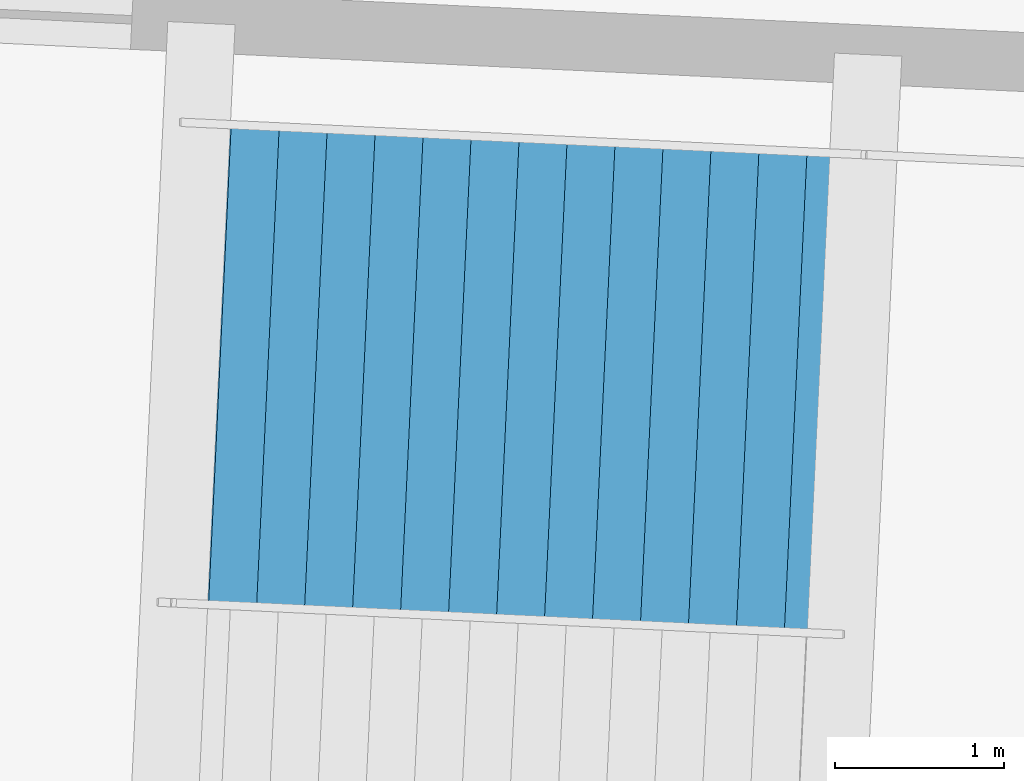
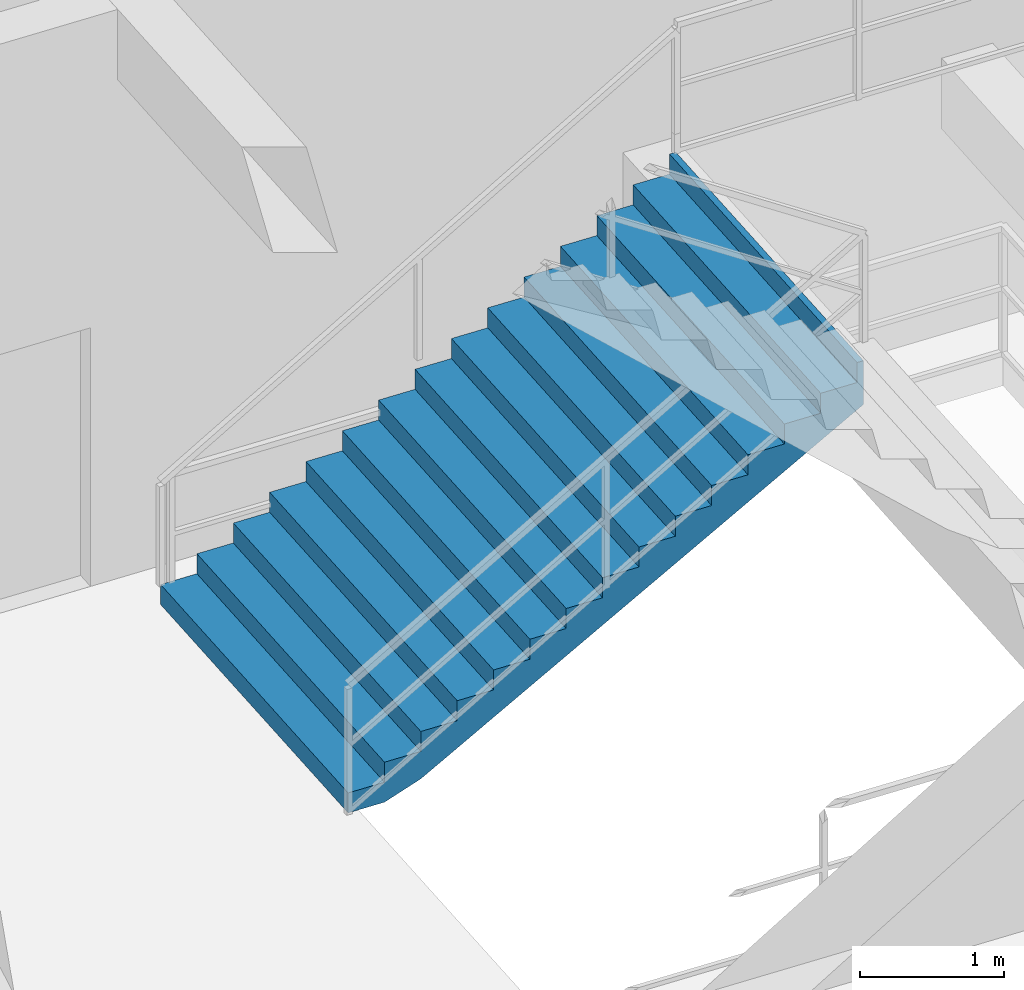
# One storey, part 158 of 184: 1 stair flight, 1 element without a shape of its own.
"""IFC4 building model written with IfcOpenShell, lengths in metres."""

import ifcopenshell
import ifcopenshell.guid

model = None  # the IFC model being written
_history = None  # IfcOwnerHistory: only IFC2X3 demands one
_inside = {}  # id of a spatial element -> (the spatial element, [elements in it])
_under = {}  # id of a project, library or spatial element -> (it, [spatial elements below it])
_declared = {}  # id of a project -> (the project, [libraries it declares])
_typed = {}  # id of a type object -> (the type object, [elements of that type])
_made_of = {}  # id of a material, layer set ... -> (it, [elements and type objects made of it])


def new_model(schema):
    """Start an empty IFC model of exactly this schema.

    Asked for "IFC4X3", IfcOpenShell would pick the latest addendum, in which some entities
    have other attributes; the version numbers below select the first issue.
    IFC2X3 requires an IfcOwnerHistory on every rooted entity: one is made here for all.
    """
    global model, _history
    if schema == "IFC4X3":
        model = ifcopenshell.file(schema_version=(4, 3, 0, 0))
    else:
        model = ifcopenshell.file(schema=schema)
    _inside.clear()
    _under.clear()
    _declared.clear()
    _typed.clear()
    _made_of.clear()
    _history = None
    if model.schema == "IFC2X3":
        org = make("IfcOrganization", Name="unknown")
        user = make(
            "IfcPersonAndOrganization",
            ThePerson=make("IfcPerson", FamilyName="unknown"),
            TheOrganization=org,
        )
        app = make(
            "IfcApplication",
            ApplicationDeveloper=org,
            Version="unknown",
            ApplicationFullName="unknown",
            ApplicationIdentifier="unknown",
        )
        _history = make(
            "IfcOwnerHistory",
            OwningUser=user,
            OwningApplication=app,
            ChangeAction="ADDED",
            CreationDate=0,
        )
    return model


def make(cls, **values):
    """One entity of the class cls with the attributes given. An attribute that is None is left unset."""
    return model.create_entity(
        cls, **{name: value for name, value in values.items() if value is not None}
    )


def rooted(cls, **values):
    """An entity with a GlobalId (a new one), such as an element, a storey or a relation."""
    return make(cls, GlobalId=ifcopenshell.guid.new(), OwnerHistory=_history, **values)


def si_unit(unit_type, name, prefix=None):
    """IfcSIUnit, for example si_unit("LENGTHUNIT", "METRE", prefix="MILLI")."""
    return make("IfcSIUnit", UnitType=unit_type, Prefix=prefix, Name=name)


def assignment(units):
    """IfcUnitAssignment: the units of a project."""
    return None if units is None else make("IfcUnitAssignment", Units=units)


def point(xyz):
    """IfcCartesianPoint."""
    return None if xyz is None else make("IfcCartesianPoint", Coordinates=xyz)


def direction(xyz):
    """IfcDirection."""
    return None if xyz is None else make("IfcDirection", DirectionRatios=xyz)


def frame(location, z_axis=None, x_axis=None):
    """IfcAxis2Placement3D, a coordinate frame: its origin and axes. An axis left out is left unset."""
    return make(
        "IfcAxis2Placement3D",
        Location=point(location),
        Axis=direction(z_axis),
        RefDirection=direction(x_axis),
    )


def origin():
    """The frame at (0, 0, 0) with its axes left unset."""
    return frame((0.0, 0.0, 0.0))


def place(relative_to, where):
    """IfcLocalPlacement: puts the frame where relative to a parent placement (None: the world)."""
    return make(
        "IfcLocalPlacement", PlacementRelTo=relative_to, RelativePlacement=where
    )


def context(
    kind, dimensions, precision=None, world=None, true_north=None, identifier=None
):
    """IfcGeometricRepresentationContext, for example the 3D "Model" context."""
    return make(
        "IfcGeometricRepresentationContext",
        ContextIdentifier=identifier,
        ContextType=kind,
        CoordinateSpaceDimension=dimensions,
        Precision=precision,
        WorldCoordinateSystem=world,
        TrueNorth=true_north,
    )


def subcontext(parent, identifier, kind, view, scale=None):
    """IfcGeometricRepresentationSubContext, for example "Body" below "Model"."""
    return make(
        "IfcGeometricRepresentationSubContext",
        ContextIdentifier=identifier,
        ContextType=kind,
        ParentContext=parent,
        TargetScale=scale,
        TargetView=view,
    )


def project(units=None, contexts=None):
    """IfcProject with its units and contexts."""
    return rooted(
        "IfcProject",
        Name="project",
        RepresentationContexts=contexts,
        UnitsInContext=assignment(units),
    )


def spatial(cls, under=None, at=None, **own):
    """A site, building, storey or space (cls), placed at a placement, below another one or the project."""
    s = rooted(cls, ObjectPlacement=at, **own)
    if under is not None:
        _under.setdefault(under.id(), (under, []))[1].append(s)
    return s


def point_list(points):
    """IfcCartesianPointList2D or 3D."""
    cls = (
        "IfcCartesianPointList2D" if len(points[0]) == 2 else "IfcCartesianPointList3D"
    )
    return make(cls, CoordList=points)


def polygons(points, faces, closed=None, point_numbers=None):
    """IfcPolygonalFaceSet: a face is its outer loop, then its inner loops; points numbered from 1."""
    made = []
    for loops in faces:
        if len(loops) == 1:
            made.append(make("IfcIndexedPolygonalFace", CoordIndex=loops[0]))
        else:
            made.append(
                make(
                    "IfcIndexedPolygonalFaceWithVoids",
                    CoordIndex=loops[0],
                    InnerCoordIndices=loops[1:],
                )
            )
    return make(
        "IfcPolygonalFaceSet",
        Coordinates=point_list(points),
        Closed=closed,
        Faces=made,
        PnIndex=point_numbers,
    )


def shape(context_of_items, identifier, shape_type, items):
    """IfcShapeRepresentation: the items that make up one representation, for example the "Body"."""
    return make(
        "IfcShapeRepresentation",
        ContextOfItems=context_of_items,
        RepresentationIdentifier=identifier,
        RepresentationType=shape_type,
        Items=items,
    )


def material(Name=None, Category=None):
    """IfcMaterial."""
    return make("IfcMaterial", Name=Name, Category=Category)


def made_of(thing, what):
    """Note that an element or type object is made of a material, layer set ...; save() writes the relation."""
    if what is not None:
        _made_of.setdefault(what.id(), (what, []))[1].append(thing)
    return thing


def type_object(cls, material=None, **own):
    """A type object (cls), such as IfcWallType, which elements share."""
    return made_of(rooted(cls, **own), material)


def element(
    cls,
    number,
    at=None,
    inside=None,
    cuts=None,
    type_object=None,
    material=None,
    context=None,
    identifier="Body",
    shape_type=None,
    held_by="IfcProductDefinitionShape",
    body=None,
    shapes=None,
    **own,
):
    """One element of the class cls, such as IfcWall. Its Tag is "e" and its number.

    at: its placement. inside: the storey or other place that contains it. cuts: it is an
    opening in that element (IfcRelVoidsElement). A single representation is given by context,
    identifier, shape_type and body (its items); several are given by shapes. held_by: the class
    of the entity that holds the representations. save() writes the other relations.
    """
    e = rooted(cls, Tag="e%d" % number, ObjectPlacement=at, **own)
    if body is not None:
        shapes = [shape(context, identifier, shape_type, body)]
    if shapes is not None:
        e.Representation = make(held_by, Representations=shapes)
    if inside is not None:
        _inside.setdefault(inside.id(), (inside, []))[1].append(e)
    if cuts is not None:
        rooted(
            "IfcRelVoidsElement", RelatingBuildingElement=cuts, RelatedOpeningElement=e
        )
    if type_object is not None:
        _typed.setdefault(type_object.id(), (type_object, []))[1].append(e)
    return made_of(e, material)


def aggregate(whole, parts):
    """IfcRelAggregates: a whole, such as a stair, and the parts it consists of."""
    return rooted("IfcRelAggregates", RelatingObject=whole, RelatedObjects=parts)


def save(model, path):
    """Write the relations noted so far, then the file.

    IfcRelAggregates (storeys below a building ...), IfcRelContainedInSpatialStructure (elements
    in a storey), IfcRelDefinesByType, IfcRelAssociatesMaterial and IfcRelDeclares: one each for
    every whole, place, type object, material and project.
    """
    for whole, parts in _under.values():
        aggregate(whole, parts)
    for where, things in _inside.values():
        rooted(
            "IfcRelContainedInSpatialStructure",
            RelatedElements=things,
            RelatingStructure=where,
        )
    for kind, things in _typed.values():
        rooted("IfcRelDefinesByType", RelatedObjects=things, RelatingType=kind)
    for what, things in _made_of.values():
        rooted("IfcRelAssociatesMaterial", RelatedObjects=things, RelatingMaterial=what)
    for by, libraries in _declared.values():
        rooted("IfcRelDeclares", RelatingContext=by, RelatedDefinitions=libraries)
    model.write(path)


model = new_model("IFC4")

# Units and contexts
model_context = context("Model", 3, precision=1e-05, world=origin(), true_north=direction((0.0, 1.0)))
body_context = subcontext(model_context, "Body", "Model", "MODEL_VIEW")
ifc_project = project(units=[si_unit("LENGTHUNIT", "METRE"), si_unit("AREAUNIT", "SQUARE_METRE"), si_unit("VOLUMEUNIT", "CUBIC_METRE"), si_unit("PLANEANGLEUNIT", "RADIAN"), si_unit("MASSUNIT", "GRAM", prefix="KILO")], contexts=[model_context])

# Site, building, storey
site_placement = place(None, origin())
site = spatial("IfcSite", under=ifc_project, at=site_placement, CompositionType="ELEMENT")
building_placement = place(site_placement, origin())
building = spatial("IfcBuilding", under=site, at=building_placement, Name="Kazemori Nagisa Stadium", CompositionType="ELEMENT")
storey_placement = place(building_placement, frame((0.0, 0.0, 10.5400390625)))
storey = spatial("IfcBuildingStorey", under=building, at=storey_placement, Name="L02", CompositionType="ELEMENT", Elevation=10.5400390625)

# Stair, stair flight
ifc_material = material(Name="Concrete C36/45 (Fc36)", Category="concrete")
stair_type = type_object("IfcStairType", Name="Stair_CORE_30", PredefinedType="TWO_STRAIGHT_RUN_STAIR", material=ifc_material)
stair_placement = place(storey_placement, origin())
stair = element("IfcStair", 1, at=stair_placement, inside=storey, type_object=stair_type, Name="Exit stair ST12 L02", PredefinedType="TWO_STRAIGHT_RUN_STAIR")
stair_flight_type = type_object("IfcStairFlightType", Name="Flight_CORE_15", PredefinedType="STRAIGHT", material=ifc_material)
stair_flight_placement = place(storey_placement, frame((107.177490234375, 24.015380859375, 0.0), z_axis=(0.0, 0.0, 1.0), x_axis=(0.99888372663, -0.047236645449, 0.0)))
stair_flight = element("IfcStairFlight", 2, at=stair_flight_placement, type_object=stair_flight_type, Name="Exit stair ST12 L02 flight 1", NumberOfRisers=15, NumberOfTreads=14, PredefinedType="STRAIGHT", RiserHeight=0.17, TreadLength=0.285, context=body_context, shape_type="Tessellation", body=[
    polygons([(0.0, -1.425048828125, 0.0), (0.0, -1.425048828125, 0.169921875), (0.284912109375, -1.425048828125, 0.169921875), (0.284912109375, -1.425048828125, 0.340087890625), (0.570068359375, -1.425048828125, 0.340087890625), (0.570068359375, -1.425048828125, 0.510009765625), (0.85498046875, -1.425048828125, 0.510009765625), (0.85498046875, -1.425048828125, 0.679931640625), (1.139892578125, -1.425048828125, 0.679931640625), (1.139892578125, -1.425048828125, 0.85009765625), (1.425048828125, -1.425048828125, 0.85009765625), (1.425048828125, -1.425048828125, 1.02001953125), (1.7099609375, -1.425048828125, 1.02001953125), (1.7099609375, -1.425048828125, 1.18994140625), (1.9951171875, -1.425048828125, 1.18994140625), (1.9951171875, -1.425048828125, 1.360107421875), (2.280029296875, -1.425048828125, 1.360107421875), (2.280029296875, -1.425048828125, 1.530029296875), (2.56494140625, -1.425048828125, 1.530029296875), (2.56494140625, -1.425048828125, 1.699951171875), (2.85009765625, -1.425048828125, 1.699951171875), (2.85009765625, -1.425048828125, 1.8701171875), (3.135009765625, -1.425048828125, 1.8701171875), (3.135009765625, -1.425048828125, 2.0400390625), (3.419921875, -1.425048828125, 2.0400390625), (3.419921875, -1.425048828125, 2.2099609375), (3.705078125, -1.425048828125, 2.2099609375), (3.705078125, -1.425048828125, 2.3798828125), (3.989990234375, -1.425048828125, 2.3798828125), (3.989990234375, -1.425048828125, 2.550048828125), (4.0400390625, -1.425048828125, 2.550048828125), (4.0400390625, -1.425048828125, 2.177001953125), (3.989990234375, -1.425048828125, 2.147216796875), (3.705078125, -1.425048828125, 1.977294921875), (3.419921875, -1.425048828125, 1.80712890625), (3.135009765625, -1.425048828125, 1.63720703125), (2.85009765625, -1.425048828125, 1.46728515625), (2.56494140625, -1.425048828125, 1.297119140625), (2.280029296875, -1.425048828125, 1.127197265625), (1.9951171875, -1.425048828125, 0.957275390625), (1.7099609375, -1.425048828125, 0.787109375), (1.425048828125, -1.425048828125, 0.6171875), (1.139892578125, -1.425048828125, 0.447265625), (0.85498046875, -1.425048828125, 0.277099609375), (0.570068359375, -1.425048828125, 0.107177734375), (0.284912109375, -1.425048828125, 0.0), (0.0, -0.08544921875, 0.0), (0.0, -0.08544921875, 0.169921875), (0.284912109375, -0.08544921875, 0.169921875), (0.284912109375, -0.08544921875, 0.340087890625), (0.570068359375, -0.08544921875, 0.340087890625), (0.570068359375, -0.08544921875, 0.510009765625), (0.85498046875, -0.08544921875, 0.510009765625), (0.85498046875, -0.08544921875, 0.679931640625), (1.139892578125, -0.08544921875, 0.679931640625), (1.139892578125, -0.08544921875, 0.85009765625), (1.425048828125, -0.08544921875, 0.85009765625), (1.425048828125, -0.08544921875, 1.02001953125), (1.7099609375, -0.08544921875, 1.02001953125), (1.7099609375, -0.08544921875, 1.18994140625), (1.9951171875, -0.08544921875, 1.18994140625), (1.9951171875, -0.08544921875, 1.360107421875), (2.280029296875, -0.08544921875, 1.360107421875), (2.280029296875, -0.08544921875, 1.530029296875), (2.56494140625, -0.08544921875, 1.530029296875), (2.56494140625, -0.08544921875, 1.699951171875), (2.85009765625, -0.08544921875, 1.699951171875), (2.85009765625, -0.08544921875, 1.8701171875), (3.135009765625, -0.08544921875, 1.8701171875), (3.135009765625, -0.08544921875, 2.0400390625), (3.419921875, -0.08544921875, 2.0400390625), (3.419921875, -0.08544921875, 2.2099609375), (3.705078125, -0.08544921875, 2.2099609375), (3.705078125, -0.08544921875, 2.3798828125), (3.989990234375, -0.08544921875, 2.3798828125), (3.989990234375, -0.08544921875, 2.550048828125), (4.0400390625, -0.08544921875, 2.550048828125), (4.0400390625, -0.08544921875, 2.177001953125), (3.989990234375, -0.08544921875, 2.147216796875), (3.705078125, -0.08544921875, 1.977294921875), (3.419921875, -0.08544921875, 1.80712890625), (3.135009765625, -0.08544921875, 1.63720703125), (2.85009765625, -0.08544921875, 1.46728515625), (2.56494140625, -0.08544921875, 1.297119140625), (2.280029296875, -0.08544921875, 1.127197265625), (1.9951171875, -0.08544921875, 0.957275390625), (1.7099609375, -0.08544921875, 0.787109375), (1.425048828125, -0.08544921875, 0.6171875), (1.139892578125, -0.08544921875, 0.447265625), (0.85498046875, -0.08544921875, 0.277099609375), (0.570068359375, -0.08544921875, 0.107177734375), (0.284912109375, -0.08544921875, 0.0), (0.0, 0.0, 0.0), (0.0, 0.0, 0.169921875), (0.284912109375, 0.0, 0.169921875), (0.284912109375, 0.0, 0.340087890625), (0.570068359375, 0.0, 0.340087890625), (0.570068359375, 0.0, 0.510009765625), (0.85498046875, 0.0, 0.510009765625), (0.85498046875, 0.0, 0.679931640625), (1.139892578125, 0.0, 0.679931640625), (1.139892578125, 0.0, 0.85009765625), (1.425048828125, 0.0, 0.85009765625), (1.425048828125, 0.0, 1.02001953125), (1.7099609375, 0.0, 1.02001953125), (1.7099609375, 0.0, 1.18994140625), (1.9951171875, 0.0, 1.18994140625), (1.9951171875, 0.0, 1.360107421875), (2.280029296875, 0.0, 1.360107421875), (2.280029296875, 0.0, 1.530029296875), (2.56494140625, 0.0, 1.530029296875), (2.56494140625, 0.0, 1.699951171875), (2.85009765625, 0.0, 1.699951171875), (2.85009765625, 0.0, 1.8701171875), (3.135009765625, 0.0, 1.8701171875), (3.135009765625, 0.0, 2.0400390625), (3.419921875, 0.0, 2.0400390625), (3.419921875, 0.0, 2.2099609375), (3.705078125, 0.0, 2.2099609375), (3.705078125, 0.0, 2.3798828125), (3.989990234375, 0.0, 2.3798828125), (3.989990234375, 0.0, 2.550048828125), (4.0400390625, 0.0, 2.550048828125), (4.0400390625, 0.0, 2.177001953125), (3.989990234375, 0.0, 2.147216796875), (3.705078125, 0.0, 1.977294921875), (3.419921875, 0.0, 1.80712890625), (3.135009765625, 0.0, 1.63720703125), (2.85009765625, 0.0, 1.46728515625), (2.56494140625, 0.0, 1.297119140625), (2.280029296875, 0.0, 1.127197265625), (1.9951171875, 0.0, 0.957275390625), (1.7099609375, 0.0, 0.787109375), (1.425048828125, 0.0, 0.6171875), (1.139892578125, 0.0, 0.447265625), (0.85498046875, 0.0, 0.277099609375), (0.570068359375, 0.0, 0.107177734375), (0.284912109375, 0.0, 0.0), (0.0, 0.08544921875, 0.0), (0.0, 0.08544921875, 0.169921875), (0.284912109375, 0.08544921875, 0.169921875), (0.284912109375, 0.08544921875, 0.340087890625), (0.570068359375, 0.08544921875, 0.340087890625), (0.570068359375, 0.08544921875, 0.510009765625), (0.85498046875, 0.08544921875, 0.510009765625), (0.85498046875, 0.08544921875, 0.679931640625), (1.139892578125, 0.08544921875, 0.679931640625), (1.139892578125, 0.08544921875, 0.85009765625), (1.425048828125, 0.08544921875, 0.85009765625), (1.425048828125, 0.08544921875, 1.02001953125), (1.7099609375, 0.08544921875, 1.02001953125), (1.7099609375, 0.08544921875, 1.18994140625), (1.9951171875, 0.08544921875, 1.18994140625), (1.9951171875, 0.08544921875, 1.360107421875), (2.280029296875, 0.08544921875, 1.360107421875), (2.280029296875, 0.08544921875, 1.530029296875), (2.56494140625, 0.08544921875, 1.530029296875), (2.56494140625, 0.08544921875, 1.699951171875), (2.85009765625, 0.08544921875, 1.699951171875), (2.85009765625, 0.08544921875, 1.8701171875), (3.135009765625, 0.08544921875, 1.8701171875), (3.135009765625, 0.08544921875, 2.0400390625), (3.419921875, 0.08544921875, 2.0400390625), (3.419921875, 0.08544921875, 2.2099609375), (3.705078125, 0.08544921875, 2.2099609375), (3.705078125, 0.08544921875, 2.3798828125), (3.989990234375, 0.08544921875, 2.3798828125), (3.989990234375, 0.08544921875, 2.550048828125), (4.0400390625, 0.08544921875, 2.550048828125), (4.0400390625, 0.08544921875, 2.177001953125), (3.989990234375, 0.08544921875, 2.147216796875), (3.705078125, 0.08544921875, 1.977294921875), (3.419921875, 0.08544921875, 1.80712890625), (3.135009765625, 0.08544921875, 1.63720703125), (2.85009765625, 0.08544921875, 1.46728515625), (2.56494140625, 0.08544921875, 1.297119140625), (2.280029296875, 0.08544921875, 1.127197265625), (1.9951171875, 0.08544921875, 0.957275390625), (1.7099609375, 0.08544921875, 0.787109375), (1.425048828125, 0.08544921875, 0.6171875), (1.139892578125, 0.08544921875, 0.447265625), (0.85498046875, 0.08544921875, 0.277099609375), (0.570068359375, 0.08544921875, 0.107177734375), (0.284912109375, 0.08544921875, 0.0), (0.0, 1.425048828125, 0.0), (0.0, 1.425048828125, 0.169921875), (0.284912109375, 1.425048828125, 0.169921875), (0.284912109375, 1.425048828125, 0.340087890625), (0.570068359375, 1.425048828125, 0.340087890625), (0.570068359375, 1.425048828125, 0.510009765625), (0.85498046875, 1.425048828125, 0.510009765625), (0.85498046875, 1.425048828125, 0.679931640625), (1.139892578125, 1.425048828125, 0.679931640625), (1.139892578125, 1.425048828125, 0.85009765625), (1.425048828125, 1.425048828125, 0.85009765625), (1.425048828125, 1.425048828125, 1.02001953125), (1.7099609375, 1.425048828125, 1.02001953125), (1.7099609375, 1.425048828125, 1.18994140625), (1.9951171875, 1.425048828125, 1.18994140625), (1.9951171875, 1.425048828125, 1.360107421875), (2.280029296875, 1.425048828125, 1.360107421875), (2.280029296875, 1.425048828125, 1.530029296875), (2.56494140625, 1.425048828125, 1.530029296875), (2.56494140625, 1.425048828125, 1.699951171875), (2.85009765625, 1.425048828125, 1.699951171875), (2.85009765625, 1.425048828125, 1.8701171875), (3.135009765625, 1.425048828125, 1.8701171875), (3.135009765625, 1.425048828125, 2.0400390625), (3.419921875, 1.425048828125, 2.0400390625), (3.419921875, 1.425048828125, 2.2099609375), (3.705078125, 1.425048828125, 2.2099609375), (3.705078125, 1.425048828125, 2.3798828125), (3.989990234375, 1.425048828125, 2.3798828125), (3.989990234375, 1.425048828125, 2.550048828125), (4.0400390625, 1.425048828125, 2.550048828125), (4.0400390625, 1.425048828125, 2.177001953125), (3.989990234375, 1.425048828125, 2.147216796875), (3.705078125, 1.425048828125, 1.977294921875), (3.419921875, 1.425048828125, 1.80712890625), (3.135009765625, 1.425048828125, 1.63720703125), (2.85009765625, 1.425048828125, 1.46728515625), (2.56494140625, 1.425048828125, 1.297119140625), (2.280029296875, 1.425048828125, 1.127197265625), (1.9951171875, 1.425048828125, 0.957275390625), (1.7099609375, 1.425048828125, 0.787109375), (1.425048828125, 1.425048828125, 0.6171875), (1.139892578125, 1.425048828125, 0.447265625), (0.85498046875, 1.425048828125, 0.277099609375), (0.570068359375, 1.425048828125, 0.107177734375), (0.284912109375, 1.425048828125, 0.0)], [[[1, 2, 48]], [[1, 48, 47]], [[2, 3, 49]], [[2, 49, 48]], [[3, 4, 50]], [[3, 50, 49]], [[4, 5, 51]], [[4, 51, 50]], [[5, 6, 52]], [[5, 52, 51]], [[6, 7, 53]], [[6, 53, 52]], [[7, 8, 54]], [[7, 54, 53]], [[8, 9, 55]], [[8, 55, 54]], [[9, 10, 56]], [[9, 56, 55]], [[10, 11, 57]], [[10, 57, 56]], [[11, 12, 58]], [[11, 58, 57]], [[12, 13, 59]], [[12, 59, 58]], [[13, 14, 60]], [[13, 60, 59]], [[14, 15, 61]], [[14, 61, 60]], [[15, 16, 62]], [[15, 62, 61]], [[16, 17, 63]], [[16, 63, 62]], [[17, 18, 64]], [[17, 64, 63]], [[18, 19, 65]], [[18, 65, 64]], [[19, 20, 66]], [[19, 66, 65]], [[20, 21, 67]], [[20, 67, 66]], [[21, 22, 68]], [[21, 68, 67]], [[22, 23, 69]], [[22, 69, 68]], [[23, 24, 70]], [[23, 70, 69]], [[24, 25, 71]], [[24, 71, 70]], [[25, 26, 72]], [[25, 72, 71]], [[26, 27, 73]], [[26, 73, 72]], [[27, 28, 74]], [[27, 74, 73]], [[28, 29, 75]], [[28, 75, 74]], [[29, 30, 76]], [[29, 76, 75]], [[30, 31, 77]], [[30, 77, 76]], [[31, 32, 78]], [[31, 78, 77]], [[32, 33, 79]], [[32, 79, 78]], [[33, 34, 80]], [[33, 80, 79]], [[34, 35, 81]], [[34, 81, 80]], [[35, 36, 82]], [[35, 82, 81]], [[36, 37, 83]], [[36, 83, 82]], [[37, 38, 84]], [[37, 84, 83]], [[38, 39, 85]], [[38, 85, 84]], [[39, 40, 86]], [[39, 86, 85]], [[40, 41, 87]], [[40, 87, 86]], [[41, 42, 88]], [[41, 88, 87]], [[42, 43, 89]], [[42, 89, 88]], [[43, 44, 90]], [[43, 90, 89]], [[44, 45, 91]], [[44, 91, 90]], [[45, 46, 92]], [[45, 92, 91]], [[46, 1, 47]], [[46, 47, 92]], [[47, 48, 94]], [[47, 94, 93]], [[48, 49, 95]], [[48, 95, 94]], [[49, 50, 96]], [[49, 96, 95]], [[50, 51, 97]], [[50, 97, 96]], [[51, 52, 98]], [[51, 98, 97]], [[52, 53, 99]], [[52, 99, 98]], [[53, 54, 100]], [[53, 100, 99]], [[54, 55, 101]], [[54, 101, 100]], [[55, 56, 102]], [[55, 102, 101]], [[56, 57, 103]], [[56, 103, 102]], [[57, 58, 104]], [[57, 104, 103]], [[58, 59, 105]], [[58, 105, 104]], [[59, 60, 106]], [[59, 106, 105]], [[60, 61, 107]], [[60, 107, 106]], [[61, 62, 108]], [[61, 108, 107]], [[62, 63, 109]], [[62, 109, 108]], [[63, 64, 110]], [[63, 110, 109]], [[64, 65, 111]], [[64, 111, 110]], [[65, 66, 112]], [[65, 112, 111]], [[66, 67, 113]], [[66, 113, 112]], [[67, 68, 114]], [[67, 114, 113]], [[68, 69, 115]], [[68, 115, 114]], [[69, 70, 116]], [[69, 116, 115]], [[70, 71, 117]], [[70, 117, 116]], [[71, 72, 118]], [[71, 118, 117]], [[72, 73, 119]], [[72, 119, 118]], [[73, 74, 120]], [[73, 120, 119]], [[74, 75, 121]], [[74, 121, 120]], [[75, 76, 122]], [[75, 122, 121]], [[76, 77, 123]], [[76, 123, 122]], [[77, 78, 124]], [[77, 124, 123]], [[78, 79, 125]], [[78, 125, 124]], [[79, 80, 126]], [[79, 126, 125]], [[80, 81, 127]], [[80, 127, 126]], [[81, 82, 128]], [[81, 128, 127]], [[82, 83, 129]], [[82, 129, 128]], [[83, 84, 130]], [[83, 130, 129]], [[84, 85, 131]], [[84, 131, 130]], [[85, 86, 132]], [[85, 132, 131]], [[86, 87, 133]], [[86, 133, 132]], [[87, 88, 134]], [[87, 134, 133]], [[88, 89, 135]], [[88, 135, 134]], [[89, 90, 136]], [[89, 136, 135]], [[90, 91, 137]], [[90, 137, 136]], [[91, 92, 138]], [[91, 138, 137]], [[92, 47, 93]], [[92, 93, 138]], [[93, 94, 140]], [[93, 140, 139]], [[94, 95, 141]], [[94, 141, 140]], [[95, 96, 142]], [[95, 142, 141]], [[96, 97, 143]], [[96, 143, 142]], [[97, 98, 144]], [[97, 144, 143]], [[98, 99, 145]], [[98, 145, 144]], [[99, 100, 146]], [[99, 146, 145]], [[100, 101, 147]], [[100, 147, 146]], [[101, 102, 148]], [[101, 148, 147]], [[102, 103, 149]], [[102, 149, 148]], [[103, 104, 150]], [[103, 150, 149]], [[104, 105, 151]], [[104, 151, 150]], [[105, 106, 152]], [[105, 152, 151]], [[106, 107, 153]], [[106, 153, 152]], [[107, 108, 154]], [[107, 154, 153]], [[108, 109, 155]], [[108, 155, 154]], [[109, 110, 156]], [[109, 156, 155]], [[110, 111, 157]], [[110, 157, 156]], [[111, 112, 158]], [[111, 158, 157]], [[112, 113, 159]], [[112, 159, 158]], [[113, 114, 160]], [[113, 160, 159]], [[114, 115, 161]], [[114, 161, 160]], [[115, 116, 162]], [[115, 162, 161]], [[116, 117, 163]], [[116, 163, 162]], [[117, 118, 164]], [[117, 164, 163]], [[118, 119, 165]], [[118, 165, 164]], [[119, 120, 166]], [[119, 166, 165]], [[120, 121, 167]], [[120, 167, 166]], [[121, 122, 168]], [[121, 168, 167]], [[122, 123, 169]], [[122, 169, 168]], [[123, 124, 170]], [[123, 170, 169]], [[124, 125, 171]], [[124, 171, 170]], [[125, 126, 172]], [[125, 172, 171]], [[126, 127, 173]], [[126, 173, 172]], [[127, 128, 174]], [[127, 174, 173]], [[128, 129, 175]], [[128, 175, 174]], [[129, 130, 176]], [[129, 176, 175]], [[130, 131, 177]], [[130, 177, 176]], [[131, 132, 178]], [[131, 178, 177]], [[132, 133, 179]], [[132, 179, 178]], [[133, 134, 180]], [[133, 180, 179]], [[134, 135, 181]], [[134, 181, 180]], [[135, 136, 182]], [[135, 182, 181]], [[136, 137, 183]], [[136, 183, 182]], [[137, 138, 184]], [[137, 184, 183]], [[138, 93, 139]], [[138, 139, 184]], [[139, 140, 186]], [[139, 186, 185]], [[140, 141, 187]], [[140, 187, 186]], [[141, 142, 188]], [[141, 188, 187]], [[142, 143, 189]], [[142, 189, 188]], [[143, 144, 190]], [[143, 190, 189]], [[144, 145, 191]], [[144, 191, 190]], [[145, 146, 192]], [[145, 192, 191]], [[146, 147, 193]], [[146, 193, 192]], [[147, 148, 194]], [[147, 194, 193]], [[148, 149, 195]], [[148, 195, 194]], [[149, 150, 196]], [[149, 196, 195]], [[150, 151, 197]], [[150, 197, 196]], [[151, 152, 198]], [[151, 198, 197]], [[152, 153, 199]], [[152, 199, 198]], [[153, 154, 200]], [[153, 200, 199]], [[154, 155, 201]], [[154, 201, 200]], [[155, 156, 202]], [[155, 202, 201]], [[156, 157, 203]], [[156, 203, 202]], [[157, 158, 204]], [[157, 204, 203]], [[158, 159, 205]], [[158, 205, 204]], [[159, 160, 206]], [[159, 206, 205]], [[160, 161, 207]], [[160, 207, 206]], [[161, 162, 208]], [[161, 208, 207]], [[162, 163, 209]], [[162, 209, 208]], [[163, 164, 210]], [[163, 210, 209]], [[164, 165, 211]], [[164, 211, 210]], [[165, 166, 212]], [[165, 212, 211]], [[166, 167, 213]], [[166, 213, 212]], [[167, 168, 214]], [[167, 214, 213]], [[168, 169, 215]], [[168, 215, 214]], [[169, 170, 216]], [[169, 216, 215]], [[170, 171, 217]], [[170, 217, 216]], [[171, 172, 218]], [[171, 218, 217]], [[172, 173, 219]], [[172, 219, 218]], [[173, 174, 220]], [[173, 220, 219]], [[174, 175, 221]], [[174, 221, 220]], [[175, 176, 222]], [[175, 222, 221]], [[176, 177, 223]], [[176, 223, 222]], [[177, 178, 224]], [[177, 224, 223]], [[178, 179, 225]], [[178, 225, 224]], [[179, 180, 226]], [[179, 226, 225]], [[180, 181, 227]], [[180, 227, 226]], [[181, 182, 228]], [[181, 228, 227]], [[182, 183, 229]], [[182, 229, 228]], [[183, 184, 230]], [[183, 230, 229]], [[184, 139, 185]], [[184, 185, 230]], [[3, 2, 1]], [[185, 186, 187]], [[46, 3, 1]], [[185, 187, 230]], [[45, 3, 46]], [[230, 187, 229]], [[5, 3, 45]], [[229, 187, 189]], [[5, 4, 3]], [[187, 188, 189]], [[44, 5, 45]], [[229, 189, 228]], [[7, 5, 44]], [[228, 189, 191]], [[7, 6, 5]], [[189, 190, 191]], [[43, 7, 44]], [[228, 191, 227]], [[9, 7, 43]], [[227, 191, 193]], [[9, 8, 7]], [[191, 192, 193]], [[42, 9, 43]], [[227, 193, 226]], [[11, 9, 42]], [[226, 193, 195]], [[11, 10, 9]], [[193, 194, 195]], [[41, 11, 42]], [[226, 195, 225]], [[13, 11, 41]], [[225, 195, 197]], [[13, 12, 11]], [[195, 196, 197]], [[40, 13, 41]], [[225, 197, 224]], [[15, 13, 40]], [[224, 197, 199]], [[15, 14, 13]], [[197, 198, 199]], [[39, 15, 40]], [[224, 199, 223]], [[17, 15, 39]], [[223, 199, 201]], [[17, 16, 15]], [[199, 200, 201]], [[38, 17, 39]], [[223, 201, 222]], [[19, 17, 38]], [[222, 201, 203]], [[19, 18, 17]], [[201, 202, 203]], [[37, 19, 38]], [[222, 203, 221]], [[21, 19, 37]], [[221, 203, 205]], [[21, 20, 19]], [[203, 204, 205]], [[36, 21, 37]], [[221, 205, 220]], [[23, 21, 36]], [[220, 205, 207]], [[23, 22, 21]], [[205, 206, 207]], [[35, 23, 36]], [[220, 207, 219]], [[25, 23, 35]], [[219, 207, 209]], [[25, 24, 23]], [[207, 208, 209]], [[34, 25, 35]], [[219, 209, 218]], [[27, 25, 34]], [[218, 209, 211]], [[27, 26, 25]], [[209, 210, 211]], [[33, 27, 34]], [[218, 211, 217]], [[29, 27, 33]], [[217, 211, 213]], [[29, 28, 27]], [[211, 212, 213]], [[32, 29, 33]], [[217, 213, 216]], [[31, 29, 32]], [[216, 213, 215]], [[31, 30, 29]], [[213, 214, 215]]], closed=True),
])
aggregate(stair, [stair_flight])

save(model, "model.ifc")
